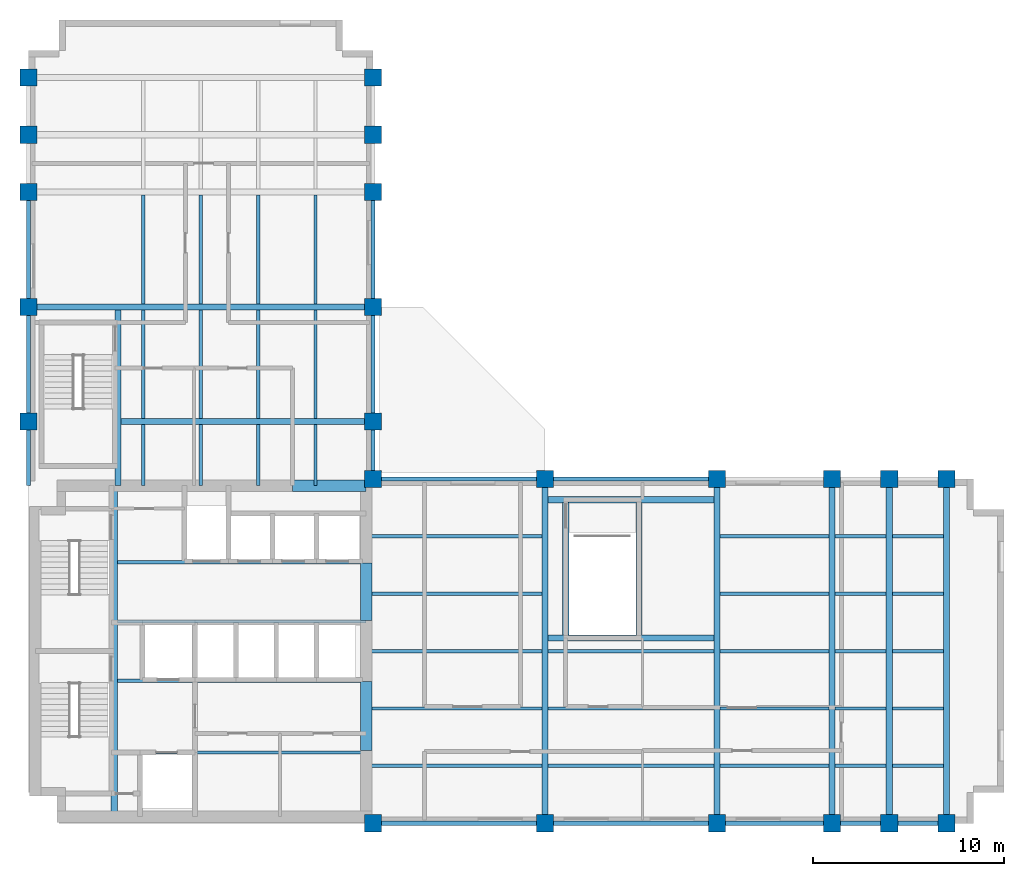
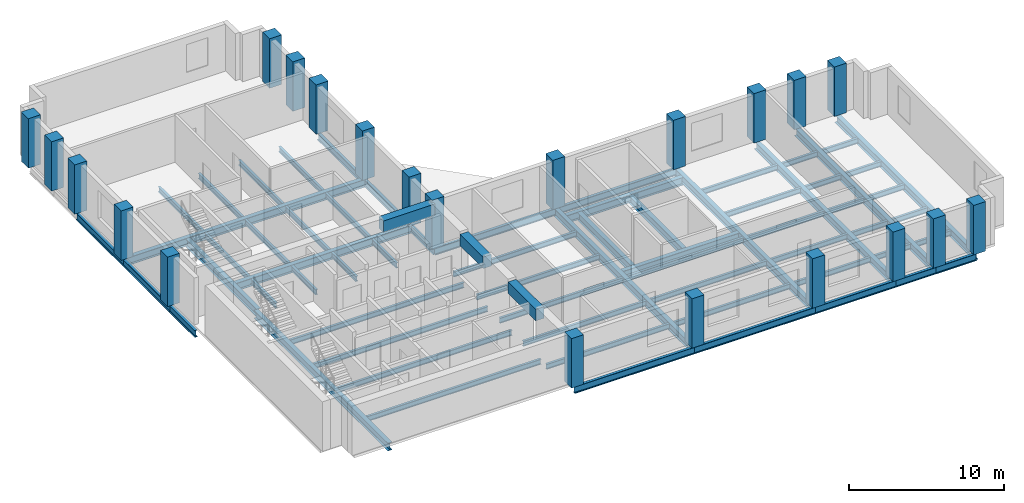
# One storey, part 1 of 6: 68 beams, 22 columns.
"""IFC4 building model written with IfcOpenShell, lengths in metres."""

from ifc_helpers import new_model, si_unit, direction, frame, origin, origin_2d, place, context, subcontext, project, spatial, rectangle, i_section, extrude, material, material_profile, profile_set, type_object, element, save


model = new_model("IFC4")

# Units and contexts
model_context = context("Model", 3, precision=1e-05, world=origin(), true_north=direction((0.0, 1.0)))
body_context = subcontext(model_context, "Body", "Model", "MODEL_VIEW")
ifc_project = project(units=[si_unit("LENGTHUNIT", "METRE"), si_unit("AREAUNIT", "SQUARE_METRE"), si_unit("VOLUMEUNIT", "CUBIC_METRE"), si_unit("PLANEANGLEUNIT", "RADIAN"), si_unit("MASSUNIT", "GRAM", prefix="KILO")], contexts=[model_context])

# Site, building, storey
site_placement = place(None, origin())
site = spatial("IfcSite", under=ifc_project, at=site_placement, CompositionType="ELEMENT")
building_placement = place(site_placement, origin())
building = spatial("IfcBuilding", under=site, at=building_placement, Name="Mawjdan Bourse Tower", CompositionType="ELEMENT")
storey_placement = place(building_placement, frame((0.0, 0.0, 164.39990234375)))
storey = spatial("IfcBuildingStorey", under=building, at=storey_placement, Name="L39", CompositionType="ELEMENT", Elevation=164.39990234375)

# Columns
ifc_material_1 = material(Name="Concrete C70/85", Category="concrete")
ifc_material_profile_1 = material_profile(ifc_material_1, rectangle(XDim=0.89990234375, YDim=0.89990234375, at=origin_2d()), Name="RC900X900")
ifc_profile_set_1 = profile_set([ifc_material_profile_1], Name="Concrete C70/85")
column_type = type_object("IfcColumnType", Name="COL-RC900X900", PredefinedType="COLUMN", material=ifc_profile_set_1)
for number, where, z_axis, x_axis, name in (
    (1, (24.0, 3.0, 0.0), (0.0, 0.0, 1.0), (1.0, 0.0, 0.0), "L39 Structural Column C-X240-Y30"),
    (2, (24.0, 21.0, 0.0), (0.0, 0.0, 1.0), (1.0, 0.0, 0.0), "L39 Structural Column C-X240-Y210"),
    (3, (33.0, 3.0, 0.0), (0.0, 0.0, 1.0), (1.0, 0.0, 0.0), "L39 Structural Column C-X330-Y30"),
    (4, (33.0, 21.0, 0.0), (0.0, 0.0, 1.0), (1.0, 0.0, 0.0), "L39 Structural Column C-X330-Y210"),
    (5, (42.0, 3.0, 0.0), (0.0, 0.0, 1.0), (1.0, 0.0, 0.0), "L39 Structural Column C-X420-Y30"),
    (6, (42.0, 21.0, 0.0), (0.0, 0.0, 1.0), (1.0, 0.0, 0.0), "L39 Structural Column C-X420-Y210"),
    (7, (48.0, 3.0, 0.0), (0.0, 0.0, 1.0), (1.0, 0.0, 0.0), "L39 Structural Column C-X480-Y30"),
    (8, (48.0, 21.0, 0.0), (0.0, 0.0, 1.0), (1.0, 0.0, 0.0), "L39 Structural Column C-X480-Y210"),
    (9, (51.0, 3.0, 0.0), (0.0, 0.0, 1.0), (1.0, 0.0, 0.0), "L39 Structural Column C-X510-Y30"),
    (10, (51.0, 21.0, 0.0), (0.0, 0.0, 1.0), (1.0, 0.0, 0.0), "L39 Structural Column C-X510-Y210"),
    (11, (54.0, 3.0, 0.0), (0.0, 0.0, 1.0), (1.0, 0.0, 0.0), "L39 Structural Column C-X540-Y30"),
    (12, (54.0, 21.0, 0.0), (0.0, 0.0, 1.0), (1.0, 0.0, 0.0), "L39 Structural Column C-X540-Y210"),
    (13, (6.0, 24.0, 0.0), (0.0, 0.0, 1.0), (1.0, 0.0, 0.0), "L39 Structural Column C-X60-Y240"),
    (14, (24.0, 24.0, 0.0), (0.0, 0.0, 1.0), (1.0, 0.0, 0.0), "L39 Structural Column C-X240-Y240"),
    (15, (6.0, 30.0, 0.0), (0.0, 0.0, 1.0), (1.0, 0.0, 0.0), "L39 Structural Column C-X60-Y300"),
    (16, (24.0, 30.0, 0.0), (0.0, 0.0, 1.0), (1.0, 0.0, 0.0), "L39 Structural Column C-X240-Y300"),
    (17, (6.0, 36.0, 0.0), (0.0, 0.0, 1.0), (1.0, 0.0, 0.0), "L39 Structural Column C-X60-Y360"),
    (18, (24.0, 36.0, 0.0), (0.0, 0.0, 1.0), (1.0, 0.0, 0.0), "L39 Structural Column C-X240-Y360"),
    (19, (6.0, 39.0, 0.0), (0.0, 0.0, 1.0), (1.0, 0.0, 0.0), "L39 Structural Column C-X60-Y390"),
    (20, (24.0, 39.0, 0.0), (0.0, 0.0, 1.0), (1.0, 0.0, 0.0), "L39 Structural Column C-X240-Y390"),
    (21, (6.0, 42.0, 0.0), (0.0, 0.0, 1.0), (1.0, 0.0, 0.0), "L39 Structural Column C-X60-Y420"),
    (22, (24.0, 42.0, 0.0), (0.0, 0.0, 1.0), (1.0, 0.0, 0.0), "L39 Structural Column C-X240-Y420"),
):
    element("IfcColumn", number, at=place(storey_placement, frame(where, z_axis=z_axis, x_axis=x_axis)), inside=storey, type_object=column_type, Name=name, PredefinedType="COLUMN", context=body_context, shape_type="SweptSolid", body=[
        extrude(rectangle(XDim=0.89990234375, YDim=0.89990234375, at=origin_2d()), origin(), (0.0, 0.0, 1.0), 3.900146484375),
    ])

# Beams
ifc_material_2 = material(Name="Structural Steel S355", Category="steel")
ifc_material_profile_2 = material_profile(ifc_material_2, i_section(OverallWidth=0.324951171875, OverallDepth=0.616943359375, WebThickness=0.013916015625, FlangeThickness=0.021484375, FilletRadius=0.017333984375, at=origin_2d()), Name="W24X117")
ifc_profile_set_2 = profile_set([ifc_material_profile_2], Name="Structural Steel S355")
beam_type_1 = type_object("IfcBeamType", Name="GRD-W24X117", PredefinedType="BEAM", material=ifc_profile_set_2)
beam_1_placement = place(storey_placement, frame((10.47998046875, 3.35009765625, -0.50830078125), z_axis=(0.0, 1.0, 0.0), x_axis=(-1.0, 0.0, 0.0)))
element("IfcBeam", 23, at=beam_1_placement, inside=storey, type_object=beam_type_1, Name="L39 Core Stair Trimmer Girder 001", PredefinedType="BEAM", context=body_context, shape_type="SweptSolid", body=[
    extrude(i_section(OverallWidth=0.324951171875, OverallDepth=0.616943359375, WebThickness=0.013916015625, FlangeThickness=0.021484375, FilletRadius=0.017333984375, at=origin_2d()), origin(), (0.0, 0.0, 1.0), 17.2998046875),
])
for number, where, z_axis, x_axis, name in (
    (24, (33.0, 3.0, -0.50830078125), (0.0, 1.0, 0.0), (-1.0, 0.0, 0.0), "L39 East Wing Clear-Span Girder 002"),
    (25, (42.0, 3.0, -0.50830078125), (0.0, 1.0, 0.0), (-1.0, 0.0, 0.0), "L39 East Wing Clear-Span Girder 003"),
    (26, (48.0, 3.0, -0.50830078125), (0.0, 1.0, 0.0), (-1.0, 0.0, 0.0), "L39 East Wing Clear-Span Girder 004"),
    (27, (51.0, 3.0, -0.50830078125), (0.0, 1.0, 0.0), (-1.0, 0.0, 0.0), "L39 East Wing Clear-Span Girder 005"),
    (28, (54.0, 3.0, -0.50830078125), (0.0, 1.0, 0.0), (-1.0, 0.0, 0.0), "L39 East Wing Clear-Span Girder 006"),
):
    element("IfcBeam", number, at=place(storey_placement, frame(where, z_axis=z_axis, x_axis=x_axis)), inside=storey, type_object=beam_type_1, Name=name, PredefinedType="BEAM", context=body_context, shape_type="SweptSolid", body=[
        extrude(i_section(OverallWidth=0.324951171875, OverallDepth=0.616943359375, WebThickness=0.013916015625, FlangeThickness=0.021484375, FilletRadius=0.017333984375, at=origin_2d()), origin(), (0.0, 0.0, 1.0), 18.0),
    ])
for number, where, z_axis, x_axis, name in (
    (29, (33.160400390625, 12.679931640625, -0.50830078125), (1.0, 0.0, 0.0), (0.0, 1.0, 0.0), "L39 Feature Stair South Trimmer 040"),
    (30, (33.160400390625, 19.919921875, -0.50830078125), (1.0, 0.0, 0.0), (0.0, 1.0, 0.0), "L39 Feature Stair North Trimmer 041"),
):
    element("IfcBeam", number, at=place(storey_placement, frame(where, z_axis=z_axis, x_axis=x_axis)), inside=storey, type_object=beam_type_1, Name=name, PredefinedType="BEAM", context=body_context, shape_type="SweptSolid", body=[
        extrude(i_section(OverallWidth=0.324951171875, OverallDepth=0.616943359375, WebThickness=0.013916015625, FlangeThickness=0.021484375, FilletRadius=0.017333984375, at=origin_2d()), origin(), (0.0, 0.0, 1.0), 8.67919921875),
    ])
for number, where, z_axis, x_axis, name in (
    (31, (34.080078125, 12.840576171875, -0.50830078125), (0.0, 1.0, 0.0), (-1.0, 0.0, 0.0), "L39 Feature Stair West Trimmer 042"),
    (32, (37.919921875, 12.840576171875, -0.50830078125), (0.0, 1.0, 0.0), (-1.0, 0.0, 0.0), "L39 Feature Stair East Trimmer 043"),
):
    element("IfcBeam", number, at=place(storey_placement, frame(where, z_axis=z_axis, x_axis=x_axis)), inside=storey, type_object=beam_type_1, Name=name, PredefinedType="BEAM", context=body_context, shape_type="SweptSolid", body=[
        extrude(i_section(OverallWidth=0.324951171875, OverallDepth=0.616943359375, WebThickness=0.013916015625, FlangeThickness=0.021484375, FilletRadius=0.017333984375, at=origin_2d()), origin(), (0.0, 0.0, 1.0), 6.9189453125),
    ])
beam_2_placement = place(storey_placement, frame((10.679931640625, 20.64990234375, -0.50830078125), z_axis=(0.0, 1.0, 0.0), x_axis=(-1.0, 0.0, 0.0)))
element("IfcBeam", 33, at=beam_2_placement, inside=storey, type_object=beam_type_1, Name="L39 North Wing Stair Trimmer Girder 048", PredefinedType="BEAM", context=body_context, shape_type="SweptSolid", body=[
    extrude(i_section(OverallWidth=0.324951171875, OverallDepth=0.616943359375, WebThickness=0.013916015625, FlangeThickness=0.021484375, FilletRadius=0.017333984375, at=origin_2d()), origin(), (0.0, 0.0, 1.0), 9.189697265625),
])
beam_3_placement = place(storey_placement, frame((10.840576171875, 24.0, -0.50830078125), z_axis=(1.0, 0.0, 0.0), x_axis=(0.0, 1.0, 0.0)))
element("IfcBeam", 34, at=beam_3_placement, inside=storey, type_object=beam_type_1, Name="L39 North Wing Clear-Span Girder 049", PredefinedType="BEAM", context=body_context, shape_type="SweptSolid", body=[
    extrude(i_section(OverallWidth=0.324951171875, OverallDepth=0.616943359375, WebThickness=0.013916015625, FlangeThickness=0.021484375, FilletRadius=0.017333984375, at=origin_2d()), origin(), (0.0, 0.0, 1.0), 13.159423828125),
])
beam_4_placement = place(storey_placement, frame((6.0, 30.0, -0.50830078125), z_axis=(1.0, 0.0, 0.0), x_axis=(0.0, 1.0, 0.0)))
element("IfcBeam", 35, at=beam_4_placement, inside=storey, type_object=beam_type_1, Name="L39 North Wing Clear-Span Girder 050", PredefinedType="BEAM", context=body_context, shape_type="SweptSolid", body=[
    extrude(i_section(OverallWidth=0.324951171875, OverallDepth=0.616943359375, WebThickness=0.013916015625, FlangeThickness=0.021484375, FilletRadius=0.017333984375, at=origin_2d()), origin(), (0.0, 0.0, 1.0), 18.0),
])
ifc_material_profile_3 = material_profile(ifc_material_2, i_section(OverallWidth=0.177978515625, OverallDepth=0.406982421875, WebThickness=0.0078125, FlangeThickness=0.0126953125, FilletRadius=0.01025390625, at=origin_2d()), Name="W16X40")
ifc_profile_set_3 = profile_set([ifc_material_profile_3], Name="Structural Steel S355")
beam_type_2 = type_object("IfcBeamType", Name="JST-W16X40", PredefinedType="JOIST", material=ifc_profile_set_3)
beam_5_placement = place(storey_placement, frame((23.64990234375, 6.0, -0.4033203125), z_axis=(1.0, 0.0, 0.0), x_axis=(0.0, 1.0, 0.0)))
element("IfcBeam", 36, at=beam_5_placement, inside=storey, type_object=beam_type_2, Name="L39 East Wing Composite Joist 017", PredefinedType="JOIST", context=body_context, shape_type="SweptSolid", body=[
    extrude(i_section(OverallWidth=0.177978515625, OverallDepth=0.406982421875, WebThickness=0.0078125, FlangeThickness=0.0126953125, FilletRadius=0.01025390625, at=origin_2d()), origin(), (0.0, 0.0, 1.0), 9.189697265625),
])
beam_6_placement = place(storey_placement, frame((33.160400390625, 6.0, -0.4033203125), z_axis=(1.0, 0.0, 0.0), x_axis=(0.0, 1.0, 0.0)))
element("IfcBeam", 37, at=beam_6_placement, inside=storey, type_object=beam_type_2, Name="L39 East Wing Composite Joist 018", PredefinedType="JOIST", context=body_context, shape_type="SweptSolid", body=[
    extrude(i_section(OverallWidth=0.177978515625, OverallDepth=0.406982421875, WebThickness=0.0078125, FlangeThickness=0.0126953125, FilletRadius=0.01025390625, at=origin_2d()), origin(), (0.0, 0.0, 1.0), 8.67919921875),
])
beam_7_placement = place(storey_placement, frame((42.160400390625, 6.0, -0.4033203125), z_axis=(1.0, 0.0, 0.0), x_axis=(0.0, 1.0, 0.0)))
element("IfcBeam", 38, at=beam_7_placement, inside=storey, type_object=beam_type_2, Name="L39 East Wing Composite Joist 019", PredefinedType="JOIST", context=body_context, shape_type="SweptSolid", body=[
    extrude(i_section(OverallWidth=0.177978515625, OverallDepth=0.406982421875, WebThickness=0.0078125, FlangeThickness=0.0126953125, FilletRadius=0.01025390625, at=origin_2d()), origin(), (0.0, 0.0, 1.0), 5.67919921875),
])
for number, where, z_axis, x_axis, name in (
    (39, (48.160400390625, 6.0, -0.4033203125), (1.0, 0.0, 0.0), (0.0, 1.0, 0.0), "L39 East Wing Composite Joist 020"),
    (40, (51.160400390625, 6.0, -0.4033203125), (1.0, 0.0, 0.0), (0.0, 1.0, 0.0), "L39 East Wing Composite Joist 021"),
):
    element("IfcBeam", number, at=place(storey_placement, frame(where, z_axis=z_axis, x_axis=x_axis)), inside=storey, type_object=beam_type_2, Name=name, PredefinedType="JOIST", context=body_context, shape_type="SweptSolid", body=[
        extrude(i_section(OverallWidth=0.177978515625, OverallDepth=0.406982421875, WebThickness=0.0078125, FlangeThickness=0.0126953125, FilletRadius=0.01025390625, at=origin_2d()), origin(), (0.0, 0.0, 1.0), 2.67919921875),
    ])
beam_8_placement = place(storey_placement, frame((23.64990234375, 9.0, -0.4033203125), z_axis=(1.0, 0.0, 0.0), x_axis=(0.0, 1.0, 0.0)))
element("IfcBeam", 41, at=beam_8_placement, inside=storey, type_object=beam_type_2, Name="L39 East Wing Composite Joist 022", PredefinedType="JOIST", context=body_context, shape_type="SweptSolid", body=[
    extrude(i_section(OverallWidth=0.177978515625, OverallDepth=0.406982421875, WebThickness=0.0078125, FlangeThickness=0.0126953125, FilletRadius=0.01025390625, at=origin_2d()), origin(), (0.0, 0.0, 1.0), 9.189697265625),
])
beam_9_placement = place(storey_placement, frame((33.160400390625, 9.0, -0.4033203125), z_axis=(1.0, 0.0, 0.0), x_axis=(0.0, 1.0, 0.0)))
element("IfcBeam", 42, at=beam_9_placement, inside=storey, type_object=beam_type_2, Name="L39 East Wing Composite Joist 023", PredefinedType="JOIST", context=body_context, shape_type="SweptSolid", body=[
    extrude(i_section(OverallWidth=0.177978515625, OverallDepth=0.406982421875, WebThickness=0.0078125, FlangeThickness=0.0126953125, FilletRadius=0.01025390625, at=origin_2d()), origin(), (0.0, 0.0, 1.0), 8.67919921875),
])
beam_10_placement = place(storey_placement, frame((42.160400390625, 9.0, -0.4033203125), z_axis=(1.0, 0.0, 0.0), x_axis=(0.0, 1.0, 0.0)))
element("IfcBeam", 43, at=beam_10_placement, inside=storey, type_object=beam_type_2, Name="L39 East Wing Composite Joist 024", PredefinedType="JOIST", context=body_context, shape_type="SweptSolid", body=[
    extrude(i_section(OverallWidth=0.177978515625, OverallDepth=0.406982421875, WebThickness=0.0078125, FlangeThickness=0.0126953125, FilletRadius=0.01025390625, at=origin_2d()), origin(), (0.0, 0.0, 1.0), 5.67919921875),
])
for number, where, z_axis, x_axis, name in (
    (44, (48.160400390625, 9.0, -0.4033203125), (1.0, 0.0, 0.0), (0.0, 1.0, 0.0), "L39 East Wing Composite Joist 025"),
    (45, (51.160400390625, 9.0, -0.4033203125), (1.0, 0.0, 0.0), (0.0, 1.0, 0.0), "L39 East Wing Composite Joist 026"),
):
    element("IfcBeam", number, at=place(storey_placement, frame(where, z_axis=z_axis, x_axis=x_axis)), inside=storey, type_object=beam_type_2, Name=name, PredefinedType="JOIST", context=body_context, shape_type="SweptSolid", body=[
        extrude(i_section(OverallWidth=0.177978515625, OverallDepth=0.406982421875, WebThickness=0.0078125, FlangeThickness=0.0126953125, FilletRadius=0.01025390625, at=origin_2d()), origin(), (0.0, 0.0, 1.0), 2.67919921875),
    ])
beam_11_placement = place(storey_placement, frame((23.64990234375, 12.0, -0.4033203125), z_axis=(1.0, 0.0, 0.0), x_axis=(0.0, 1.0, 0.0)))
element("IfcBeam", 46, at=beam_11_placement, inside=storey, type_object=beam_type_2, Name="L39 East Wing Composite Joist 027", PredefinedType="JOIST", context=body_context, shape_type="SweptSolid", body=[
    extrude(i_section(OverallWidth=0.177978515625, OverallDepth=0.406982421875, WebThickness=0.0078125, FlangeThickness=0.0126953125, FilletRadius=0.01025390625, at=origin_2d()), origin(), (0.0, 0.0, 1.0), 9.189697265625),
])
beam_12_placement = place(storey_placement, frame((33.160400390625, 12.0, -0.4033203125), z_axis=(1.0, 0.0, 0.0), x_axis=(0.0, 1.0, 0.0)))
element("IfcBeam", 47, at=beam_12_placement, inside=storey, type_object=beam_type_2, Name="L39 East Wing Composite Joist 028", PredefinedType="JOIST", context=body_context, shape_type="SweptSolid", body=[
    extrude(i_section(OverallWidth=0.177978515625, OverallDepth=0.406982421875, WebThickness=0.0078125, FlangeThickness=0.0126953125, FilletRadius=0.01025390625, at=origin_2d()), origin(), (0.0, 0.0, 1.0), 8.67919921875),
])
beam_13_placement = place(storey_placement, frame((42.160400390625, 12.0, -0.4033203125), z_axis=(1.0, 0.0, 0.0), x_axis=(0.0, 1.0, 0.0)))
element("IfcBeam", 48, at=beam_13_placement, inside=storey, type_object=beam_type_2, Name="L39 East Wing Composite Joist 029", PredefinedType="JOIST", context=body_context, shape_type="SweptSolid", body=[
    extrude(i_section(OverallWidth=0.177978515625, OverallDepth=0.406982421875, WebThickness=0.0078125, FlangeThickness=0.0126953125, FilletRadius=0.01025390625, at=origin_2d()), origin(), (0.0, 0.0, 1.0), 5.67919921875),
])
for number, where, z_axis, x_axis, name in (
    (49, (48.160400390625, 12.0, -0.4033203125), (1.0, 0.0, 0.0), (0.0, 1.0, 0.0), "L39 East Wing Composite Joist 030"),
    (50, (51.160400390625, 12.0, -0.4033203125), (1.0, 0.0, 0.0), (0.0, 1.0, 0.0), "L39 East Wing Composite Joist 031"),
):
    element("IfcBeam", number, at=place(storey_placement, frame(where, z_axis=z_axis, x_axis=x_axis)), inside=storey, type_object=beam_type_2, Name=name, PredefinedType="JOIST", context=body_context, shape_type="SweptSolid", body=[
        extrude(i_section(OverallWidth=0.177978515625, OverallDepth=0.406982421875, WebThickness=0.0078125, FlangeThickness=0.0126953125, FilletRadius=0.01025390625, at=origin_2d()), origin(), (0.0, 0.0, 1.0), 2.67919921875),
    ])
beam_14_placement = place(storey_placement, frame((23.64990234375, 15.0, -0.4033203125), z_axis=(1.0, 0.0, 0.0), x_axis=(0.0, 1.0, 0.0)))
element("IfcBeam", 51, at=beam_14_placement, inside=storey, type_object=beam_type_2, Name="L39 East Wing Composite Joist 032", PredefinedType="JOIST", context=body_context, shape_type="SweptSolid", body=[
    extrude(i_section(OverallWidth=0.177978515625, OverallDepth=0.406982421875, WebThickness=0.0078125, FlangeThickness=0.0126953125, FilletRadius=0.01025390625, at=origin_2d()), origin(), (0.0, 0.0, 1.0), 9.189697265625),
])
beam_15_placement = place(storey_placement, frame((42.160400390625, 15.0, -0.4033203125), z_axis=(1.0, 0.0, 0.0), x_axis=(0.0, 1.0, 0.0)))
element("IfcBeam", 52, at=beam_15_placement, inside=storey, type_object=beam_type_2, Name="L39 East Wing Composite Joist 033", PredefinedType="JOIST", context=body_context, shape_type="SweptSolid", body=[
    extrude(i_section(OverallWidth=0.177978515625, OverallDepth=0.406982421875, WebThickness=0.0078125, FlangeThickness=0.0126953125, FilletRadius=0.01025390625, at=origin_2d()), origin(), (0.0, 0.0, 1.0), 5.67919921875),
])
for number, where, z_axis, x_axis, name in (
    (53, (48.160400390625, 15.0, -0.4033203125), (1.0, 0.0, 0.0), (0.0, 1.0, 0.0), "L39 East Wing Composite Joist 034"),
    (54, (51.160400390625, 15.0, -0.4033203125), (1.0, 0.0, 0.0), (0.0, 1.0, 0.0), "L39 East Wing Composite Joist 035"),
):
    element("IfcBeam", number, at=place(storey_placement, frame(where, z_axis=z_axis, x_axis=x_axis)), inside=storey, type_object=beam_type_2, Name=name, PredefinedType="JOIST", context=body_context, shape_type="SweptSolid", body=[
        extrude(i_section(OverallWidth=0.177978515625, OverallDepth=0.406982421875, WebThickness=0.0078125, FlangeThickness=0.0126953125, FilletRadius=0.01025390625, at=origin_2d()), origin(), (0.0, 0.0, 1.0), 2.67919921875),
    ])
beam_16_placement = place(storey_placement, frame((23.64990234375, 18.0, -0.4033203125), z_axis=(1.0, 0.0, 0.0), x_axis=(0.0, 1.0, 0.0)))
element("IfcBeam", 55, at=beam_16_placement, inside=storey, type_object=beam_type_2, Name="L39 East Wing Composite Joist 036", PredefinedType="JOIST", context=body_context, shape_type="SweptSolid", body=[
    extrude(i_section(OverallWidth=0.177978515625, OverallDepth=0.406982421875, WebThickness=0.0078125, FlangeThickness=0.0126953125, FilletRadius=0.01025390625, at=origin_2d()), origin(), (0.0, 0.0, 1.0), 9.189697265625),
])
beam_17_placement = place(storey_placement, frame((42.160400390625, 18.0, -0.4033203125), z_axis=(1.0, 0.0, 0.0), x_axis=(0.0, 1.0, 0.0)))
element("IfcBeam", 56, at=beam_17_placement, inside=storey, type_object=beam_type_2, Name="L39 East Wing Composite Joist 037", PredefinedType="JOIST", context=body_context, shape_type="SweptSolid", body=[
    extrude(i_section(OverallWidth=0.177978515625, OverallDepth=0.406982421875, WebThickness=0.0078125, FlangeThickness=0.0126953125, FilletRadius=0.01025390625, at=origin_2d()), origin(), (0.0, 0.0, 1.0), 5.67919921875),
])
for number, where, z_axis, x_axis, name in (
    (57, (48.160400390625, 18.0, -0.4033203125), (1.0, 0.0, 0.0), (0.0, 1.0, 0.0), "L39 East Wing Composite Joist 038"),
    (58, (51.160400390625, 18.0, -0.4033203125), (1.0, 0.0, 0.0), (0.0, 1.0, 0.0), "L39 East Wing Composite Joist 039"),
):
    element("IfcBeam", number, at=place(storey_placement, frame(where, z_axis=z_axis, x_axis=x_axis)), inside=storey, type_object=beam_type_2, Name=name, PredefinedType="JOIST", context=body_context, shape_type="SweptSolid", body=[
        extrude(i_section(OverallWidth=0.177978515625, OverallDepth=0.406982421875, WebThickness=0.0078125, FlangeThickness=0.0126953125, FilletRadius=0.01025390625, at=origin_2d()), origin(), (0.0, 0.0, 1.0), 2.67919921875),
    ])
for number, where, z_axis, x_axis, name in (
    (59, (10.640380859375, 6.699951171875, -0.4033203125), (1.0, 0.0, 0.0), (0.0, 1.0, 0.0), "L39 Core Floor Joist 044"),
    (60, (10.640380859375, 10.449951171875, -0.4033203125), (1.0, 0.0, 0.0), (0.0, 1.0, 0.0), "L39 Core Floor Joist 045"),
    (61, (10.640380859375, 13.550048828125, -0.4033203125), (1.0, 0.0, 0.0), (0.0, 1.0, 0.0), "L39 Core Floor Joist 046"),
    (62, (10.640380859375, 16.64990234375, -0.4033203125), (1.0, 0.0, 0.0), (0.0, 1.0, 0.0), "L39 Core Floor Joist 047"),
):
    element("IfcBeam", number, at=place(storey_placement, frame(where, z_axis=z_axis, x_axis=x_axis)), inside=storey, type_object=beam_type_2, Name=name, PredefinedType="JOIST", context=body_context, shape_type="SweptSolid", body=[
        extrude(i_section(OverallWidth=0.177978515625, OverallDepth=0.406982421875, WebThickness=0.0078125, FlangeThickness=0.0126953125, FilletRadius=0.01025390625, at=origin_2d()), origin(), (0.0, 0.0, 1.0), 13.009521484375),
    ])
beam_18_placement = place(storey_placement, frame((12.0, 20.64990234375, -0.4033203125), z_axis=(0.0, 1.0, 0.0), x_axis=(-1.0, 0.0, 0.0)))
element("IfcBeam", 63, at=beam_18_placement, inside=storey, type_object=beam_type_2, Name="L39 North Wing Composite Joist 064", PredefinedType="JOIST", context=body_context, shape_type="SweptSolid", body=[
    extrude(i_section(OverallWidth=0.177978515625, OverallDepth=0.406982421875, WebThickness=0.0078125, FlangeThickness=0.0126953125, FilletRadius=0.01025390625, at=origin_2d()), origin(), (0.0, 0.0, 1.0), 3.189697265625),
])
for number, where, z_axis, x_axis, name in (
    (64, (12.0, 24.160400390625, -0.4033203125), (0.0, 1.0, 0.0), (-1.0, 0.0, 0.0), "L39 North Wing Composite Joist 065"),
    (65, (12.0, 30.160400390625, -0.4033203125), (0.0, 1.0, 0.0), (-1.0, 0.0, 0.0), "L39 North Wing Composite Joist 066"),
):
    element("IfcBeam", number, at=place(storey_placement, frame(where, z_axis=z_axis, x_axis=x_axis)), inside=storey, type_object=beam_type_2, Name=name, PredefinedType="JOIST", context=body_context, shape_type="SweptSolid", body=[
        extrude(i_section(OverallWidth=0.177978515625, OverallDepth=0.406982421875, WebThickness=0.0078125, FlangeThickness=0.0126953125, FilletRadius=0.01025390625, at=origin_2d()), origin(), (0.0, 0.0, 1.0), 5.67919921875),
    ])
beam_19_placement = place(storey_placement, frame((15.0, 20.64990234375, -0.4033203125), z_axis=(0.0, 1.0, 0.0), x_axis=(-1.0, 0.0, 0.0)))
element("IfcBeam", 66, at=beam_19_placement, inside=storey, type_object=beam_type_2, Name="L39 North Wing Composite Joist 069", PredefinedType="JOIST", context=body_context, shape_type="SweptSolid", body=[
    extrude(i_section(OverallWidth=0.177978515625, OverallDepth=0.406982421875, WebThickness=0.0078125, FlangeThickness=0.0126953125, FilletRadius=0.01025390625, at=origin_2d()), origin(), (0.0, 0.0, 1.0), 3.189697265625),
])
for number, where, z_axis, x_axis, name in (
    (67, (15.0, 24.160400390625, -0.4033203125), (0.0, 1.0, 0.0), (-1.0, 0.0, 0.0), "L39 North Wing Composite Joist 070"),
    (68, (15.0, 30.160400390625, -0.4033203125), (0.0, 1.0, 0.0), (-1.0, 0.0, 0.0), "L39 North Wing Composite Joist 071"),
):
    element("IfcBeam", number, at=place(storey_placement, frame(where, z_axis=z_axis, x_axis=x_axis)), inside=storey, type_object=beam_type_2, Name=name, PredefinedType="JOIST", context=body_context, shape_type="SweptSolid", body=[
        extrude(i_section(OverallWidth=0.177978515625, OverallDepth=0.406982421875, WebThickness=0.0078125, FlangeThickness=0.0126953125, FilletRadius=0.01025390625, at=origin_2d()), origin(), (0.0, 0.0, 1.0), 5.67919921875),
    ])
beam_20_placement = place(storey_placement, frame((18.0, 20.64990234375, -0.4033203125), z_axis=(0.0, 1.0, 0.0), x_axis=(-1.0, 0.0, 0.0)))
element("IfcBeam", 69, at=beam_20_placement, inside=storey, type_object=beam_type_2, Name="L39 North Wing Composite Joist 074", PredefinedType="JOIST", context=body_context, shape_type="SweptSolid", body=[
    extrude(i_section(OverallWidth=0.177978515625, OverallDepth=0.406982421875, WebThickness=0.0078125, FlangeThickness=0.0126953125, FilletRadius=0.01025390625, at=origin_2d()), origin(), (0.0, 0.0, 1.0), 3.189697265625),
])
for number, where, z_axis, x_axis, name in (
    (70, (18.0, 24.160400390625, -0.4033203125), (0.0, 1.0, 0.0), (-1.0, 0.0, 0.0), "L39 North Wing Composite Joist 075"),
    (71, (18.0, 30.160400390625, -0.4033203125), (0.0, 1.0, 0.0), (-1.0, 0.0, 0.0), "L39 North Wing Composite Joist 076"),
):
    element("IfcBeam", number, at=place(storey_placement, frame(where, z_axis=z_axis, x_axis=x_axis)), inside=storey, type_object=beam_type_2, Name=name, PredefinedType="JOIST", context=body_context, shape_type="SweptSolid", body=[
        extrude(i_section(OverallWidth=0.177978515625, OverallDepth=0.406982421875, WebThickness=0.0078125, FlangeThickness=0.0126953125, FilletRadius=0.01025390625, at=origin_2d()), origin(), (0.0, 0.0, 1.0), 5.67919921875),
    ])
beam_21_placement = place(storey_placement, frame((21.0, 20.64990234375, -0.4033203125), z_axis=(0.0, 1.0, 0.0), x_axis=(-1.0, 0.0, 0.0)))
element("IfcBeam", 72, at=beam_21_placement, inside=storey, type_object=beam_type_2, Name="L39 North Wing Composite Joist 079", PredefinedType="JOIST", context=body_context, shape_type="SweptSolid", body=[
    extrude(i_section(OverallWidth=0.177978515625, OverallDepth=0.406982421875, WebThickness=0.0078125, FlangeThickness=0.0126953125, FilletRadius=0.01025390625, at=origin_2d()), origin(), (0.0, 0.0, 1.0), 3.189697265625),
])
for number, where, z_axis, x_axis, name in (
    (73, (21.0, 24.160400390625, -0.4033203125), (0.0, 1.0, 0.0), (-1.0, 0.0, 0.0), "L39 North Wing Composite Joist 080"),
    (74, (21.0, 30.160400390625, -0.4033203125), (0.0, 1.0, 0.0), (-1.0, 0.0, 0.0), "L39 North Wing Composite Joist 081"),
):
    element("IfcBeam", number, at=place(storey_placement, frame(where, z_axis=z_axis, x_axis=x_axis)), inside=storey, type_object=beam_type_2, Name=name, PredefinedType="JOIST", context=body_context, shape_type="SweptSolid", body=[
        extrude(i_section(OverallWidth=0.177978515625, OverallDepth=0.406982421875, WebThickness=0.0078125, FlangeThickness=0.0126953125, FilletRadius=0.01025390625, at=origin_2d()), origin(), (0.0, 0.0, 1.0), 5.67919921875),
    ])
ifc_material_profile_4 = material_profile(ifc_material_1, rectangle(XDim=0.60009765625, YDim=0.89990234375, at=origin_2d()), Name="RCB600X900")
ifc_profile_set_4 = profile_set([ifc_material_profile_4], Name="Concrete C70/85")
beam_type_3 = type_object("IfcBeamType", Name="LNT-RCB600X900", PredefinedType="LINTEL", material=ifc_profile_set_4)
beam_22_placement = place(storey_placement, frame((23.64990234375, 6.800048828125, 3.25), z_axis=(0.0, 1.0, 0.0), x_axis=(-1.0, 0.0, 0.0)))
element("IfcBeam", 75, at=beam_22_placement, inside=storey, type_object=beam_type_3, Name="L39 Coupled Core Lintel CB-E1", PredefinedType="LINTEL", context=body_context, shape_type="SweptSolid", body=[
    extrude(rectangle(XDim=0.60009765625, YDim=0.89990234375, at=origin_2d()), origin(), (0.0, 0.0, 1.0), 3.599853515625),
])
beam_23_placement = place(storey_placement, frame((23.64990234375, 13.60009765625, 3.25), z_axis=(0.0, 1.0, 0.0), x_axis=(-1.0, 0.0, 0.0)))
element("IfcBeam", 76, at=beam_23_placement, inside=storey, type_object=beam_type_3, Name="L39 Coupled Core Lintel CB-E2", PredefinedType="LINTEL", context=body_context, shape_type="SweptSolid", body=[
    extrude(rectangle(XDim=0.60009765625, YDim=0.89990234375, at=origin_2d()), origin(), (0.0, 0.0, 1.0), 3.0),
])
beam_24_placement = place(storey_placement, frame((19.800048828125, 20.64990234375, 3.25), z_axis=(1.0, 0.0, 0.0), x_axis=(0.0, 1.0, 0.0)))
element("IfcBeam", 77, at=beam_24_placement, inside=storey, type_object=beam_type_3, Name="L39 Coupled Core Lintel CB-N1", PredefinedType="LINTEL", context=body_context, shape_type="SweptSolid", body=[
    extrude(rectangle(XDim=0.60009765625, YDim=0.89990234375, at=origin_2d()), origin(), (0.0, 0.0, 1.0), 3.849853515625),
])
ifc_material_profile_5 = material_profile(ifc_material_2, i_section(OverallWidth=0.2119140625, OverallDepth=0.5439453125, WebThickness=0.01318359375, FlangeThickness=0.021240234375, FilletRadius=0.01708984375, at=origin_2d()), Name="W21X83")
ifc_profile_set_5 = profile_set([ifc_material_profile_5], Name="Structural Steel S355")
beam_type_4 = type_object("IfcBeamType", Name="SPN-W21X83", PredefinedType="SPANDREL", material=ifc_profile_set_5)
for number, where, z_axis, x_axis, name in (
    (78, (24.0, 3.0, -0.531982421875), (1.0, 0.0, 0.0), (0.0, 1.0, 0.0), "L39 Perimeter Masonry-Shelf Spandrel 007"),
    (79, (33.0, 3.0, -0.531982421875), (1.0, 0.0, 0.0), (0.0, 1.0, 0.0), "L39 Perimeter Masonry-Shelf Spandrel 008"),
):
    element("IfcBeam", number, at=place(storey_placement, frame(where, z_axis=z_axis, x_axis=x_axis)), inside=storey, type_object=beam_type_4, Name=name, PredefinedType="SPANDREL", context=body_context, shape_type="SweptSolid", body=[
        extrude(i_section(OverallWidth=0.2119140625, OverallDepth=0.5439453125, WebThickness=0.01318359375, FlangeThickness=0.021240234375, FilletRadius=0.01708984375, at=origin_2d()), origin(), (0.0, 0.0, 1.0), 9.0),
    ])
beam_25_placement = place(storey_placement, frame((42.0, 3.0, -0.531982421875), z_axis=(1.0, 0.0, 0.0), x_axis=(0.0, 1.0, 0.0)))
element("IfcBeam", 80, at=beam_25_placement, inside=storey, type_object=beam_type_4, Name="L39 Perimeter Masonry-Shelf Spandrel 009", PredefinedType="SPANDREL", context=body_context, shape_type="SweptSolid", body=[
    extrude(i_section(OverallWidth=0.2119140625, OverallDepth=0.5439453125, WebThickness=0.01318359375, FlangeThickness=0.021240234375, FilletRadius=0.01708984375, at=origin_2d()), origin(), (0.0, 0.0, 1.0), 6.0),
])
for number, where, z_axis, x_axis, name in (
    (81, (48.0, 3.0, -0.531982421875), (1.0, 0.0, 0.0), (0.0, 1.0, 0.0), "L39 Perimeter Masonry-Shelf Spandrel 010"),
    (82, (51.0, 3.0, -0.531982421875), (1.0, 0.0, 0.0), (0.0, 1.0, 0.0), "L39 Perimeter Masonry-Shelf Spandrel 011"),
):
    element("IfcBeam", number, at=place(storey_placement, frame(where, z_axis=z_axis, x_axis=x_axis)), inside=storey, type_object=beam_type_4, Name=name, PredefinedType="SPANDREL", context=body_context, shape_type="SweptSolid", body=[
        extrude(i_section(OverallWidth=0.2119140625, OverallDepth=0.5439453125, WebThickness=0.01318359375, FlangeThickness=0.021240234375, FilletRadius=0.01708984375, at=origin_2d()), origin(), (0.0, 0.0, 1.0), 3.0),
    ])
for number, where, z_axis, x_axis, name in (
    (83, (24.0, 21.0, -0.531982421875), (1.0, 0.0, 0.0), (0.0, 1.0, 0.0), "L39 Perimeter Masonry-Shelf Spandrel 012"),
    (84, (33.0, 21.0, -0.531982421875), (1.0, 0.0, 0.0), (0.0, 1.0, 0.0), "L39 Perimeter Masonry-Shelf Spandrel 013"),
):
    element("IfcBeam", number, at=place(storey_placement, frame(where, z_axis=z_axis, x_axis=x_axis)), inside=storey, type_object=beam_type_4, Name=name, PredefinedType="SPANDREL", context=body_context, shape_type="SweptSolid", body=[
        extrude(i_section(OverallWidth=0.2119140625, OverallDepth=0.5439453125, WebThickness=0.01318359375, FlangeThickness=0.021240234375, FilletRadius=0.01708984375, at=origin_2d()), origin(), (0.0, 0.0, 1.0), 9.0),
    ])
beam_26_placement = place(storey_placement, frame((6.0, 20.64990234375, -0.531982421875), z_axis=(0.0, 1.0, 0.0), x_axis=(-1.0, 0.0, 0.0)))
element("IfcBeam", 85, at=beam_26_placement, inside=storey, type_object=beam_type_4, Name="L39 North Wing Spandrel 054", PredefinedType="SPANDREL", context=body_context, shape_type="SweptSolid", body=[
    extrude(i_section(OverallWidth=0.2119140625, OverallDepth=0.5439453125, WebThickness=0.01318359375, FlangeThickness=0.021240234375, FilletRadius=0.01708984375, at=origin_2d()), origin(), (0.0, 0.0, 1.0), 3.35009765625),
])
for number, where, z_axis, x_axis, name in (
    (86, (6.0, 24.0, -0.531982421875), (0.0, 1.0, 0.0), (-1.0, 0.0, 0.0), "L39 North Wing Spandrel 055"),
    (87, (6.0, 30.0, -0.531982421875), (0.0, 1.0, 0.0), (-1.0, 0.0, 0.0), "L39 North Wing Spandrel 056"),
):
    element("IfcBeam", number, at=place(storey_placement, frame(where, z_axis=z_axis, x_axis=x_axis)), inside=storey, type_object=beam_type_4, Name=name, PredefinedType="SPANDREL", context=body_context, shape_type="SweptSolid", body=[
        extrude(i_section(OverallWidth=0.2119140625, OverallDepth=0.5439453125, WebThickness=0.01318359375, FlangeThickness=0.021240234375, FilletRadius=0.01708984375, at=origin_2d()), origin(), (0.0, 0.0, 1.0), 6.0),
    ])
beam_27_placement = place(storey_placement, frame((24.0, 21.0, -0.531982421875), z_axis=(0.0, 1.0, 0.0), x_axis=(-1.0, 0.0, 0.0)))
element("IfcBeam", 88, at=beam_27_placement, inside=storey, type_object=beam_type_4, Name="L39 North Wing Spandrel 059", PredefinedType="SPANDREL", context=body_context, shape_type="SweptSolid", body=[
    extrude(i_section(OverallWidth=0.2119140625, OverallDepth=0.5439453125, WebThickness=0.01318359375, FlangeThickness=0.021240234375, FilletRadius=0.01708984375, at=origin_2d()), origin(), (0.0, 0.0, 1.0), 3.0),
])
for number, where, z_axis, x_axis, name in (
    (89, (24.0, 24.0, -0.531982421875), (0.0, 1.0, 0.0), (-1.0, 0.0, 0.0), "L39 North Wing Spandrel 060"),
    (90, (24.0, 30.0, -0.531982421875), (0.0, 1.0, 0.0), (-1.0, 0.0, 0.0), "L39 North Wing Spandrel 061"),
):
    element("IfcBeam", number, at=place(storey_placement, frame(where, z_axis=z_axis, x_axis=x_axis)), inside=storey, type_object=beam_type_4, Name=name, PredefinedType="SPANDREL", context=body_context, shape_type="SweptSolid", body=[
        extrude(i_section(OverallWidth=0.2119140625, OverallDepth=0.5439453125, WebThickness=0.01318359375, FlangeThickness=0.021240234375, FilletRadius=0.01708984375, at=origin_2d()), origin(), (0.0, 0.0, 1.0), 6.0),
    ])

save(model, "model.ifc")
